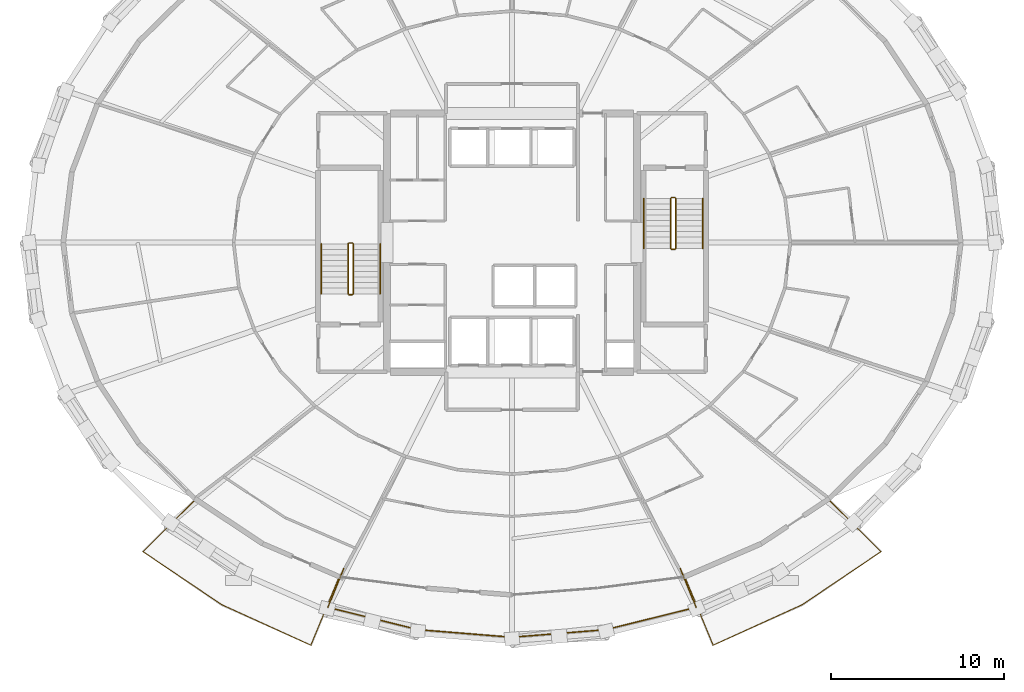
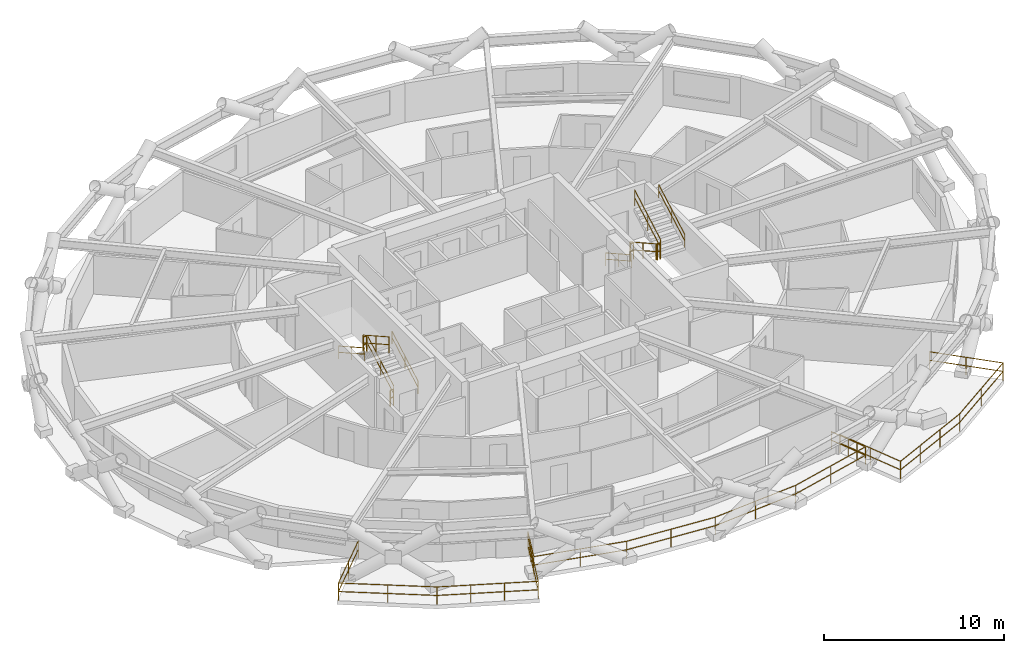
# One storey, part 13 of 13: 17 railings.
"""IFC4 building model written with IfcOpenShell, lengths in metres."""

from ifc_helpers import new_model, si_unit, direction, frame, origin, origin_2d, place, context, subcontext, project, spatial, circle, extrude, material, type_object, element, save


model = new_model("IFC4")

# Units and contexts
model_context = context("Model", 3, precision=1e-05, world=origin(), true_north=direction((0.0, 1.0)))
body_context = subcontext(model_context, "Body", "Model", "MODEL_VIEW")
ifc_project = project(units=[si_unit("LENGTHUNIT", "METRE"), si_unit("AREAUNIT", "SQUARE_METRE"), si_unit("VOLUMEUNIT", "CUBIC_METRE"), si_unit("PLANEANGLEUNIT", "RADIAN"), si_unit("MASSUNIT", "GRAM", prefix="KILO")], contexts=[model_context])

# Site, building, storey
site_placement = place(None, origin())
site = spatial("IfcSite", under=ifc_project, at=site_placement, CompositionType="ELEMENT")
building_placement = place(site_placement, origin())
building = spatial("IfcBuilding", under=site, at=building_placement, Name="Veldorina Hangang Commons", CompositionType="ELEMENT")
storey_placement = place(building_placement, frame((0.0, 0.0, 37.60009765625)))
storey = spatial("IfcBuildingStorey", under=building, at=storey_placement, Name="L08", CompositionType="ELEMENT", Elevation=37.60009765625)

# Railings
ifc_material_1 = material(Name="Glass Laminated Safety Balustrade", Category="glass")
railing_type_1 = type_object("IfcRailingType", Name="RL-BAL-LOGGIA", PredefinedType="BALUSTRADE", material=ifc_material_1)
railing_1_placement = place(storey_placement, frame((22.29443359375, 5.197021484375, 0.0)))
element("IfcRailing", 1, at=railing_1_placement, inside=storey, type_object=railing_type_1, Name="L08 sky-garden loggia end balustrade A", PredefinedType="BALUSTRADE", context=body_context, shape_type="SweptSolid", body=[
    extrude(circle(Radius=0.02392578125, at=origin_2d()), frame((0.0, 0.0, 1.17578125), z_axis=(-0.379040694112, -0.925380004218, 0.0), x_axis=(0.925380004218, -0.379040694112, 0.0)), (0.0, 0.0, 1.0), 2.400634765625),
    extrude(circle(Radius=0.02392578125, at=origin_2d()), frame((0.0, 0.0, 0.60009765625), z_axis=(-0.379040694112, -0.925380004218, 0.0), x_axis=(0.925380004218, -0.379040694112, 0.0)), (0.0, 0.0, 1.0), 2.400634765625),
    extrude(circle(Radius=0.02099609375, at=origin_2d()), origin(), (0.0, 0.0, 1.0), 1.15185546875),
    extrude(circle(Radius=0.02099609375, at=origin_2d()), frame((-0.2275390625, -0.555419921875, 0.0)), (0.0, 0.0, 1.0), 1.15185546875),
    extrude(circle(Radius=0.02099609375, at=origin_2d()), frame((-0.455078125, -1.11083984375, 0.0)), (0.0, 0.0, 1.0), 1.15185546875),
    extrude(circle(Radius=0.02099609375, at=origin_2d()), frame((-0.682373046875, -1.666015625, 0.0)), (0.0, 0.0, 1.0), 1.15185546875),
    extrude(circle(Radius=0.02099609375, at=origin_2d()), frame((-0.909912109375, -2.221435546875, 0.0)), (0.0, 0.0, 1.0), 1.15185546875),
])
railing_2_placement = place(storey_placement, frame((41.70556640625, 5.197021484375, 0.0)))
element("IfcRailing", 2, at=railing_2_placement, inside=storey, type_object=railing_type_1, Name="L08 sky-garden loggia end balustrade B", PredefinedType="BALUSTRADE", context=body_context, shape_type="SweptSolid", body=[
    extrude(circle(Radius=0.02392578125, at=origin_2d()), frame((0.0, 0.0, 1.17578125), z_axis=(0.379040694112, -0.925380004218, 0.0), x_axis=(0.925380004218, 0.379040694112, 0.0)), (0.0, 0.0, 1.0), 2.400634765625),
    extrude(circle(Radius=0.02392578125, at=origin_2d()), frame((0.0, 0.0, 0.60009765625), z_axis=(0.379040694112, -0.925380004218, 0.0), x_axis=(0.925380004218, 0.379040694112, 0.0)), (0.0, 0.0, 1.0), 2.400634765625),
    extrude(circle(Radius=0.02099609375, at=origin_2d()), origin(), (0.0, 0.0, 1.0), 1.15185546875),
    extrude(circle(Radius=0.02099609375, at=origin_2d()), frame((0.2275390625, -0.555419921875, 0.0)), (0.0, 0.0, 1.0), 1.15185546875),
    extrude(circle(Radius=0.02099609375, at=origin_2d()), frame((0.455078125, -1.11083984375, 0.0)), (0.0, 0.0, 1.0), 1.15185546875),
    extrude(circle(Radius=0.02099609375, at=origin_2d()), frame((0.682373046875, -1.666015625, 0.0)), (0.0, 0.0, 1.0), 1.15185546875),
    extrude(circle(Radius=0.02099609375, at=origin_2d()), frame((0.909912109375, -2.221435546875, 0.0)), (0.0, 0.0, 1.0), 1.15185546875),
])
railing_3_placement = place(storey_placement, frame((21.384521484375, 2.9755859375, 0.0)))
element("IfcRailing", 3, at=railing_3_placement, inside=storey, type_object=railing_type_1, Name="L08 sky-garden loggia outer balustrade", PredefinedType="BALUSTRADE", context=body_context, shape_type="SweptSolid", body=[
    extrude(circle(Radius=0.02392578125, at=origin_2d()), frame((0.0, 0.0, 1.17578125), z_axis=(0.970497635289, -0.241110638293, 0.0), x_axis=(0.241110638293, 0.970497635289, 0.0)), (0.0, 0.0, 1.0), 5.362548828125),
    extrude(circle(Radius=0.02392578125, at=origin_2d()), frame((0.0, 0.0, 0.60009765625), z_axis=(0.970497635289, -0.241110638293, 0.0), x_axis=(0.241110638293, 0.970497635289, 0.0)), (0.0, 0.0, 1.0), 5.362548828125),
    extrude(circle(Radius=0.02392578125, at=origin_2d()), frame((5.204345703125, -1.29296875, 1.17578125), z_axis=(0.996761862407, -0.080410134, 0.0), x_axis=(0.080410134, 0.996761862407, 0.0)), (0.0, 0.0, 1.0), 5.4287109375),
    extrude(circle(Radius=0.02392578125, at=origin_2d()), frame((5.204345703125, -1.29296875, 0.60009765625), z_axis=(0.996761862407, -0.080410134, 0.0), x_axis=(0.080410134, 0.996761862407, 0.0)), (0.0, 0.0, 1.0), 5.4287109375),
    extrude(circle(Radius=0.02392578125, at=origin_2d()), frame((10.615478515625, -1.7294921875, 1.17578125), z_axis=(0.996761862407, 0.080410134, 0.0), x_axis=(-0.080410134, 0.996761862407, 0.0)), (0.0, 0.0, 1.0), 5.4287109375),
    extrude(circle(Radius=0.02392578125, at=origin_2d()), frame((10.615478515625, -1.7294921875, 0.60009765625), z_axis=(0.996761862407, 0.080410134, 0.0), x_axis=(-0.080410134, 0.996761862407, 0.0)), (0.0, 0.0, 1.0), 5.4287109375),
    extrude(circle(Radius=0.02392578125, at=origin_2d()), frame((16.026611328125, -1.29296875, 1.17578125), z_axis=(0.970497635289, 0.241110638293, 0.0), x_axis=(-0.241110638293, 0.970497635289, 0.0)), (0.0, 0.0, 1.0), 5.362548828125),
    extrude(circle(Radius=0.02392578125, at=origin_2d()), frame((16.026611328125, -1.29296875, 0.60009765625), z_axis=(0.970497635289, 0.241110638293, 0.0), x_axis=(-0.241110638293, 0.970497635289, 0.0)), (0.0, 0.0, 1.0), 5.362548828125),
    extrude(circle(Radius=0.02099609375, at=origin_2d()), origin(), (0.0, 0.0, 1.0), 1.15185546875),
    extrude(circle(Radius=0.02099609375, at=origin_2d()), frame((2.60205078125, -0.646484375, 0.0)), (0.0, 0.0, 1.0), 1.15185546875),
    extrude(circle(Radius=0.02099609375, at=origin_2d()), frame((5.204345703125, -1.29296875, 0.0)), (0.0, 0.0, 1.0), 1.15185546875),
    extrude(circle(Radius=0.02099609375, at=origin_2d()), frame((7.909912109375, -1.51123046875, 0.0)), (0.0, 0.0, 1.0), 1.15185546875),
    extrude(circle(Radius=0.02099609375, at=origin_2d()), frame((10.615478515625, -1.7294921875, 0.0)), (0.0, 0.0, 1.0), 1.15185546875),
    extrude(circle(Radius=0.02099609375, at=origin_2d()), frame((13.321044921875, -1.51123046875, 0.0)), (0.0, 0.0, 1.0), 1.15185546875),
    extrude(circle(Radius=0.02099609375, at=origin_2d()), frame((16.026611328125, -1.29296875, 0.0)), (0.0, 0.0, 1.0), 1.15185546875),
    extrude(circle(Radius=0.02099609375, at=origin_2d()), frame((18.62890625, -0.646484375, 0.0)), (0.0, 0.0, 1.0), 1.15185546875),
    extrude(circle(Radius=0.02099609375, at=origin_2d()), frame((21.23095703125, 0.0, 0.0)), (0.0, 0.0, 1.0), 1.15185546875),
])
railing_4_placement = place(storey_placement, frame((13.730712890625, 9.168701171875, 0.0)))
element("IfcRailing", 4, at=railing_4_placement, inside=storey, type_object=railing_type_1, Name="L08 planted tree balcony 1 balustrade", PredefinedType="BALUSTRADE", context=body_context, shape_type="SweptSolid", body=[
    extrude(circle(Radius=0.02392578125, at=origin_2d()), frame((0.0, 0.0, 1.17578125), z_axis=(-0.709005044141, -0.705203408516, 0.0), x_axis=(0.705203408516, -0.709005044141, 0.0)), (0.0, 0.0, 1.0), 4.238525390625),
    extrude(circle(Radius=0.02392578125, at=origin_2d()), frame((0.0, 0.0, 0.60009765625), z_axis=(-0.709005044141, -0.705203408516, 0.0), x_axis=(0.705203408516, -0.709005044141, 0.0)), (0.0, 0.0, 1.0), 4.238525390625),
    extrude(circle(Radius=0.02392578125, at=origin_2d()), frame((-3.005126953125, -2.989013671875, 1.17578125), z_axis=(0.829381315886, -0.558682944844, 0.0), x_axis=(0.558682944844, 0.829381315886, 0.0)), (0.0, 0.0, 1.0), 5.47998046875),
    extrude(circle(Radius=0.02392578125, at=origin_2d()), frame((-3.005126953125, -2.989013671875, 0.60009765625), z_axis=(0.829381315886, -0.558682944844, 0.0), x_axis=(0.558682944844, 0.829381315886, 0.0)), (0.0, 0.0, 1.0), 5.47998046875),
    extrude(circle(Radius=0.02392578125, at=origin_2d()), frame((1.539794921875, -6.050537109375, 1.17578125), z_axis=(0.910413929683, -0.413698533523, 0.0), x_axis=(0.413698533523, 0.910413929683, 0.0)), (0.0, 0.0, 1.0), 5.6376953125),
    extrude(circle(Radius=0.02392578125, at=origin_2d()), frame((1.539794921875, -6.050537109375, 0.60009765625), z_axis=(0.910413929683, -0.413698533523, 0.0), x_axis=(0.413698533523, 0.910413929683, 0.0)), (0.0, 0.0, 1.0), 5.6376953125),
    extrude(circle(Radius=0.02392578125, at=origin_2d()), frame((6.67236328125, -8.3828125, 1.17578125), z_axis=(0.381868232911, 0.924216777977, 0.0), x_axis=(-0.924216777977, 0.381868232911, 0.0)), (0.0, 0.0, 1.0), 4.23681640625),
    extrude(circle(Radius=0.02392578125, at=origin_2d()), frame((6.67236328125, -8.3828125, 0.60009765625), z_axis=(0.381868232911, 0.924216777977, 0.0), x_axis=(-0.924216777977, 0.381868232911, 0.0)), (0.0, 0.0, 1.0), 4.23681640625),
    extrude(circle(Radius=0.02099609375, at=origin_2d()), origin(), (0.0, 0.0, 1.0), 1.15185546875),
    extrude(circle(Radius=0.02099609375, at=origin_2d()), frame((-1.50244140625, -1.49462890625, 0.0)), (0.0, 0.0, 1.0), 1.15185546875),
    extrude(circle(Radius=0.02099609375, at=origin_2d()), frame((-3.005126953125, -2.989013671875, 0.0)), (0.0, 0.0, 1.0), 1.15185546875),
    extrude(circle(Radius=0.02099609375, at=origin_2d()), frame((-0.732666015625, -4.519775390625, 0.0)), (0.0, 0.0, 1.0), 1.15185546875),
    extrude(circle(Radius=0.02099609375, at=origin_2d()), frame((1.539794921875, -6.050537109375, 0.0)), (0.0, 0.0, 1.0), 1.15185546875),
    extrude(circle(Radius=0.02099609375, at=origin_2d()), frame((3.250732421875, -6.827880859375, 0.0)), (0.0, 0.0, 1.0), 1.15185546875),
    extrude(circle(Radius=0.02099609375, at=origin_2d()), frame((4.96142578125, -7.60546875, 0.0)), (0.0, 0.0, 1.0), 1.15185546875),
    extrude(circle(Radius=0.02099609375, at=origin_2d()), frame((6.67236328125, -8.3828125, 0.0)), (0.0, 0.0, 1.0), 1.15185546875),
    extrude(circle(Radius=0.02099609375, at=origin_2d()), frame((7.4814453125, -6.4248046875, 0.0)), (0.0, 0.0, 1.0), 1.15185546875),
    extrude(circle(Radius=0.02099609375, at=origin_2d()), frame((8.290283203125, -4.467041015625, 0.0)), (0.0, 0.0, 1.0), 1.15185546875),
])
railing_5_placement = place(storey_placement, frame((41.97900390625, 4.70166015625, 0.0)))
element("IfcRailing", 5, at=railing_5_placement, inside=storey, type_object=railing_type_1, Name="L08 planted tree balcony 2 balustrade", PredefinedType="BALUSTRADE", context=body_context, shape_type="SweptSolid", body=[
    extrude(circle(Radius=0.02392578125, at=origin_2d()), frame((0.0, 0.0, 1.17578125), z_axis=(0.381868232911, -0.924216777977, 0.0), x_axis=(0.924216777977, 0.381868232911, 0.0)), (0.0, 0.0, 1.0), 4.23681640625),
    extrude(circle(Radius=0.02392578125, at=origin_2d()), frame((0.0, 0.0, 0.60009765625), z_axis=(0.381868232911, -0.924216777977, 0.0), x_axis=(0.924216777977, 0.381868232911, 0.0)), (0.0, 0.0, 1.0), 4.23681640625),
    extrude(circle(Radius=0.02392578125, at=origin_2d()), frame((1.617919921875, -3.915771484375, 1.17578125), z_axis=(0.910413929683, 0.413698533523, 0.0), x_axis=(-0.413698533523, 0.910413929683, 0.0)), (0.0, 0.0, 1.0), 5.6376953125),
    extrude(circle(Radius=0.02392578125, at=origin_2d()), frame((1.617919921875, -3.915771484375, 0.60009765625), z_axis=(0.910413929683, 0.413698533523, 0.0), x_axis=(-0.413698533523, 0.910413929683, 0.0)), (0.0, 0.0, 1.0), 5.6376953125),
    extrude(circle(Radius=0.02392578125, at=origin_2d()), frame((6.75048828125, -1.58349609375, 1.17578125), z_axis=(0.829381315886, 0.558682944844, 0.0), x_axis=(-0.558682944844, 0.829381315886, 0.0)), (0.0, 0.0, 1.0), 5.47998046875),
    extrude(circle(Radius=0.02392578125, at=origin_2d()), frame((6.75048828125, -1.58349609375, 0.60009765625), z_axis=(0.829381315886, 0.558682944844, 0.0), x_axis=(-0.558682944844, 0.829381315886, 0.0)), (0.0, 0.0, 1.0), 5.47998046875),
    extrude(circle(Radius=0.02392578125, at=origin_2d()), frame((11.29541015625, 1.47802734375, 1.17578125), z_axis=(-0.709005044141, 0.705203408516, 0.0), x_axis=(-0.705203408516, -0.709005044141, 0.0)), (0.0, 0.0, 1.0), 4.238525390625),
    extrude(circle(Radius=0.02392578125, at=origin_2d()), frame((11.29541015625, 1.47802734375, 0.60009765625), z_axis=(-0.709005044141, 0.705203408516, 0.0), x_axis=(-0.705203408516, -0.709005044141, 0.0)), (0.0, 0.0, 1.0), 4.238525390625),
    extrude(circle(Radius=0.02099609375, at=origin_2d()), origin(), (0.0, 0.0, 1.0), 1.15185546875),
    extrude(circle(Radius=0.02099609375, at=origin_2d()), frame((0.80908203125, -1.9580078125, 0.0)), (0.0, 0.0, 1.0), 1.15185546875),
    extrude(circle(Radius=0.02099609375, at=origin_2d()), frame((1.617919921875, -3.915771484375, 0.0)), (0.0, 0.0, 1.0), 1.15185546875),
    extrude(circle(Radius=0.02099609375, at=origin_2d()), frame((3.328857421875, -3.138427734375, 0.0)), (0.0, 0.0, 1.0), 1.15185546875),
    extrude(circle(Radius=0.02099609375, at=origin_2d()), frame((5.03955078125, -2.36083984375, 0.0)), (0.0, 0.0, 1.0), 1.15185546875),
    extrude(circle(Radius=0.02099609375, at=origin_2d()), frame((6.75048828125, -1.58349609375, 0.0)), (0.0, 0.0, 1.0), 1.15185546875),
    extrude(circle(Radius=0.02099609375, at=origin_2d()), frame((9.02294921875, -0.052734375, 0.0)), (0.0, 0.0, 1.0), 1.15185546875),
    extrude(circle(Radius=0.02099609375, at=origin_2d()), frame((11.29541015625, 1.47802734375, 0.0)), (0.0, 0.0, 1.0), 1.15185546875),
    extrude(circle(Radius=0.02099609375, at=origin_2d()), frame((9.79296875, 2.97265625, 0.0)), (0.0, 0.0, 1.0), 1.15185546875),
    extrude(circle(Radius=0.02099609375, at=origin_2d()), frame((8.290283203125, 4.467041015625, 0.0)), (0.0, 0.0, 1.0), 1.15185546875),
])
ifc_material_2 = material(Name="Steel Painted Balustrade", Category="steel")
railing_type_2 = type_object("IfcRailingType", Name="RL-GRD-STAIR", PredefinedType="GUARDRAIL", material=ifc_material_2)
railing_6_placement = place(storey_placement, frame((22.85009765625, 21.050048828125, 0.179931640625)))
element("IfcRailing", 6, at=railing_6_placement, inside=storey, type_object=railing_type_2, Name="L08 ST-1 stair guard 1", PredefinedType="GUARDRAIL", context=body_context, shape_type="SweptSolid", body=[
    extrude(circle(Radius=0.02392578125, at=origin_2d()), frame((0.0, 0.0, 1.076171875), z_axis=(0.0, 0.871583430097, 0.490247207417), x_axis=(-1.0, 0.0, 0.0)), (0.0, 0.0, 1.0), 3.30419921875),
    extrude(circle(Radius=0.02392578125, at=origin_2d()), frame((0.0, 0.0, 0.550048828125), z_axis=(0.0, 0.871583430097, 0.490247207417), x_axis=(-1.0, 0.0, 0.0)), (0.0, 0.0, 1.0), 3.30419921875),
    extrude(circle(Radius=0.02099609375, at=origin_2d()), origin(), (0.0, 0.0, 1.0), 1.052001953125),
    extrude(circle(Radius=0.02099609375, at=origin_2d()), frame((0.0, 1.43994140625, 0.81005859375)), (0.0, 0.0, 1.0), 1.052001953125),
    extrude(circle(Radius=0.02099609375, at=origin_2d()), frame((0.0, 2.8798828125, 1.619873046875)), (0.0, 0.0, 1.0), 1.052001953125),
])
railing_7_placement = place(storey_placement, frame((22.800048828125, 23.97998046875, 1.7998046875)))
element("IfcRailing", 7, at=railing_7_placement, inside=storey, type_object=railing_type_2, Name="L08 ST-1 stair guard 2", PredefinedType="GUARDRAIL", context=body_context, shape_type="SweptSolid", body=[
    extrude(circle(Radius=0.02392578125, at=origin_2d()), frame((0.0, 0.0, 1.076171875), z_axis=(-1.0, 0.0, 0.0), x_axis=(0.0, -1.0, 0.0)), (0.0, 0.0, 1.0), 0.199951171875),
    extrude(circle(Radius=0.02392578125, at=origin_2d()), frame((0.0, 0.0, 0.550048828125), z_axis=(-1.0, 0.0, 0.0), x_axis=(0.0, -1.0, 0.0)), (0.0, 0.0, 1.0), 0.199951171875),
    extrude(circle(Radius=0.02099609375, at=origin_2d()), origin(), (0.0, 0.0, 1.0), 1.052001953125),
    extrude(circle(Radius=0.02099609375, at=origin_2d()), frame((-0.199951171875, 0.0, 0.0)), (0.0, 0.0, 1.0), 1.052001953125),
])
railing_8_placement = place(storey_placement, frame((22.550048828125, 23.929931640625, 1.97998046875)))
element("IfcRailing", 8, at=railing_8_placement, inside=storey, type_object=railing_type_2, Name="L08 ST-1 stair guard 3", PredefinedType="GUARDRAIL", context=body_context, shape_type="SweptSolid", body=[
    extrude(circle(Radius=0.02392578125, at=origin_2d()), frame((0.0, 0.0, 1.076171875), z_axis=(0.0, -0.871583430097, 0.490247207417), x_axis=(1.0, 0.0, 0.0)), (0.0, 0.0, 1.0), 3.30419921875),
    extrude(circle(Radius=0.02392578125, at=origin_2d()), frame((0.0, 0.0, 0.550048828125), z_axis=(0.0, -0.871583430097, 0.490247207417), x_axis=(1.0, 0.0, 0.0)), (0.0, 0.0, 1.0), 3.30419921875),
    extrude(circle(Radius=0.02099609375, at=origin_2d()), origin(), (0.0, 0.0, 1.0), 1.052001953125),
    extrude(circle(Radius=0.02099609375, at=origin_2d()), frame((0.0, -1.43994140625, 0.81005859375)), (0.0, 0.0, 1.0), 1.052001953125),
    extrude(circle(Radius=0.02099609375, at=origin_2d()), frame((0.0, -2.8798828125, 1.619873046875)), (0.0, 0.0, 1.0), 1.052001953125),
])
railing_9_placement = place(storey_placement, frame((22.800048828125, 21.0, 0.0)))
element("IfcRailing", 9, at=railing_9_placement, inside=storey, type_object=railing_type_2, Name="L08 ST-1 stair guard 4", PredefinedType="GUARDRAIL", context=body_context, shape_type="SweptSolid", body=[
    extrude(circle(Radius=0.02392578125, at=origin_2d()), frame((0.0, 0.0, 1.076171875), z_axis=(-1.0, 0.0, 0.0), x_axis=(0.0, -1.0, 0.0)), (0.0, 0.0, 1.0), 0.199951171875),
    extrude(circle(Radius=0.02392578125, at=origin_2d()), frame((0.0, 0.0, 0.550048828125), z_axis=(-1.0, 0.0, 0.0), x_axis=(0.0, -1.0, 0.0)), (0.0, 0.0, 1.0), 0.199951171875),
    extrude(circle(Radius=0.02099609375, at=origin_2d()), origin(), (0.0, 0.0, 1.0), 1.052001953125),
    extrude(circle(Radius=0.02099609375, at=origin_2d()), frame((-0.199951171875, 0.0, 0.0)), (0.0, 0.0, 1.0), 1.052001953125),
])
railing_10_placement = place(storey_placement, frame((41.14990234375, 26.550048828125, 0.179931640625)))
element("IfcRailing", 10, at=railing_10_placement, inside=storey, type_object=railing_type_2, Name="L08 ST-2 stair guard 1", PredefinedType="GUARDRAIL", context=body_context, shape_type="SweptSolid", body=[
    extrude(circle(Radius=0.02392578125, at=origin_2d()), frame((0.0, 0.0, 1.076171875), z_axis=(0.0, -0.871601186807, 0.490215637405), x_axis=(1.0, 0.0, 0.0)), (0.0, 0.0, 1.0), 3.304443359375),
    extrude(circle(Radius=0.02392578125, at=origin_2d()), frame((0.0, 0.0, 0.550048828125), z_axis=(0.0, -0.871601186807, 0.490215637405), x_axis=(1.0, 0.0, 0.0)), (0.0, 0.0, 1.0), 3.304443359375),
    extrude(circle(Radius=0.02099609375, at=origin_2d()), origin(), (0.0, 0.0, 1.0), 1.052001953125),
    extrude(circle(Radius=0.02099609375, at=origin_2d()), frame((0.0, -1.43994140625, 0.81005859375)), (0.0, 0.0, 1.0), 1.052001953125),
    extrude(circle(Radius=0.02099609375, at=origin_2d()), frame((0.0, -2.880126953125, 1.619873046875)), (0.0, 0.0, 1.0), 1.052001953125),
])
railing_11_placement = place(storey_placement, frame((41.199951171875, 23.6201171875, 1.7998046875)))
element("IfcRailing", 11, at=railing_11_placement, inside=storey, type_object=railing_type_2, Name="L08 ST-2 stair guard 2", PredefinedType="GUARDRAIL", context=body_context, shape_type="SweptSolid", body=[
    extrude(circle(Radius=0.02392578125, at=origin_2d()), frame((0.0, 0.0, 1.076171875), z_axis=(1.0, 0.0, 0.0), x_axis=(0.0, 1.0, 0.0)), (0.0, 0.0, 1.0), 0.199951171875),
    extrude(circle(Radius=0.02392578125, at=origin_2d()), frame((0.0, 0.0, 0.550048828125), z_axis=(1.0, 0.0, 0.0), x_axis=(0.0, 1.0, 0.0)), (0.0, 0.0, 1.0), 0.199951171875),
    extrude(circle(Radius=0.02099609375, at=origin_2d()), origin(), (0.0, 0.0, 1.0), 1.052001953125),
    extrude(circle(Radius=0.02099609375, at=origin_2d()), frame((0.199951171875, 0.0, 0.0)), (0.0, 0.0, 1.0), 1.052001953125),
])
railing_12_placement = place(storey_placement, frame((41.449951171875, 23.669921875, 1.97998046875)))
element("IfcRailing", 12, at=railing_12_placement, inside=storey, type_object=railing_type_2, Name="L08 ST-2 stair guard 3", PredefinedType="GUARDRAIL", context=body_context, shape_type="SweptSolid", body=[
    extrude(circle(Radius=0.02392578125, at=origin_2d()), frame((0.0, 0.0, 1.076171875), z_axis=(0.0, 0.871601186807, 0.490215637405), x_axis=(-1.0, 0.0, 0.0)), (0.0, 0.0, 1.0), 3.304443359375),
    extrude(circle(Radius=0.02392578125, at=origin_2d()), frame((0.0, 0.0, 0.550048828125), z_axis=(0.0, 0.871601186807, 0.490215637405), x_axis=(-1.0, 0.0, 0.0)), (0.0, 0.0, 1.0), 3.304443359375),
    extrude(circle(Radius=0.02099609375, at=origin_2d()), origin(), (0.0, 0.0, 1.0), 1.052001953125),
    extrude(circle(Radius=0.02099609375, at=origin_2d()), frame((0.0, 1.43994140625, 0.81005859375)), (0.0, 0.0, 1.0), 1.052001953125),
    extrude(circle(Radius=0.02099609375, at=origin_2d()), frame((0.0, 2.880126953125, 1.619873046875)), (0.0, 0.0, 1.0), 1.052001953125),
])
railing_13_placement = place(storey_placement, frame((41.199951171875, 26.60009765625, 0.0)))
element("IfcRailing", 13, at=railing_13_placement, inside=storey, type_object=railing_type_2, Name="L08 ST-2 stair guard 4", PredefinedType="GUARDRAIL", context=body_context, shape_type="SweptSolid", body=[
    extrude(circle(Radius=0.02392578125, at=origin_2d()), frame((0.0, 0.0, 1.076171875), z_axis=(1.0, 0.0, 0.0), x_axis=(0.0, 1.0, 0.0)), (0.0, 0.0, 1.0), 0.199951171875),
    extrude(circle(Radius=0.02392578125, at=origin_2d()), frame((0.0, 0.0, 0.550048828125), z_axis=(1.0, 0.0, 0.0), x_axis=(0.0, 1.0, 0.0)), (0.0, 0.0, 1.0), 0.199951171875),
    extrude(circle(Radius=0.02099609375, at=origin_2d()), origin(), (0.0, 0.0, 1.0), 1.052001953125),
    extrude(circle(Radius=0.02099609375, at=origin_2d()), frame((0.199951171875, 0.0, 0.0)), (0.0, 0.0, 1.0), 1.052001953125),
])
ifc_material_3 = material(Name="Stainless Steel Brushed 316", Category="steel")
railing_type_3 = type_object("IfcRailingType", Name="RL-HND-STAIR", PredefinedType="HANDRAIL", material=ifc_material_3)
railing_14_placement = place(storey_placement, frame((24.39990234375, 21.050048828125, 0.179931640625)))
element("IfcRailing", 14, at=railing_14_placement, inside=storey, type_object=railing_type_3, Name="L08 ST-1 stair handrail 1", PredefinedType="HANDRAIL", context=body_context, shape_type="SweptSolid", body=[
    extrude(circle(Radius=0.02392578125, at=origin_2d()), frame((0.0, 0.0, 0.8759765625), z_axis=(0.0, 0.871583430097, 0.490247207417), x_axis=(-1.0, 0.0, 0.0)), (0.0, 0.0, 1.0), 3.30419921875),
    extrude(circle(Radius=0.02392578125, at=origin_2d()), frame((0.0, 0.0, 0.449951171875), z_axis=(0.0, 0.871583430097, 0.490247207417), x_axis=(-1.0, 0.0, 0.0)), (0.0, 0.0, 1.0), 3.30419921875),
    extrude(circle(Radius=0.02099609375, at=origin_2d()), origin(), (0.0, 0.0, 1.0), 0.851806640625),
    extrude(circle(Radius=0.02099609375, at=origin_2d()), frame((0.0, 1.43994140625, 0.81005859375)), (0.0, 0.0, 1.0), 0.851806640625),
    extrude(circle(Radius=0.02099609375, at=origin_2d()), frame((0.0, 2.8798828125, 1.619873046875)), (0.0, 0.0, 1.0), 0.851806640625),
])
railing_15_placement = place(storey_placement, frame((21.0, 23.929931640625, 1.97998046875)))
element("IfcRailing", 15, at=railing_15_placement, inside=storey, type_object=railing_type_3, Name="L08 ST-1 stair handrail 2", PredefinedType="HANDRAIL", context=body_context, shape_type="SweptSolid", body=[
    extrude(circle(Radius=0.02392578125, at=origin_2d()), frame((0.0, 0.0, 0.8759765625), z_axis=(0.0, -0.871583430097, 0.490247207417), x_axis=(1.0, 0.0, 0.0)), (0.0, 0.0, 1.0), 3.30419921875),
    extrude(circle(Radius=0.02392578125, at=origin_2d()), frame((0.0, 0.0, 0.449951171875), z_axis=(0.0, -0.871583430097, 0.490247207417), x_axis=(1.0, 0.0, 0.0)), (0.0, 0.0, 1.0), 3.30419921875),
    extrude(circle(Radius=0.02099609375, at=origin_2d()), origin(), (0.0, 0.0, 1.0), 0.851806640625),
    extrude(circle(Radius=0.02099609375, at=origin_2d()), frame((0.0, -1.43994140625, 0.81005859375)), (0.0, 0.0, 1.0), 0.851806640625),
    extrude(circle(Radius=0.02099609375, at=origin_2d()), frame((0.0, -2.8798828125, 1.619873046875)), (0.0, 0.0, 1.0), 0.851806640625),
])
railing_16_placement = place(storey_placement, frame((39.60009765625, 26.550048828125, 0.179931640625)))
element("IfcRailing", 16, at=railing_16_placement, inside=storey, type_object=railing_type_3, Name="L08 ST-2 stair handrail 1", PredefinedType="HANDRAIL", context=body_context, shape_type="SweptSolid", body=[
    extrude(circle(Radius=0.02392578125, at=origin_2d()), frame((0.0, 0.0, 0.8759765625), z_axis=(0.0, -0.871601186807, 0.490215637405), x_axis=(1.0, 0.0, 0.0)), (0.0, 0.0, 1.0), 3.304443359375),
    extrude(circle(Radius=0.02392578125, at=origin_2d()), frame((0.0, 0.0, 0.449951171875), z_axis=(0.0, -0.871601186807, 0.490215637405), x_axis=(1.0, 0.0, 0.0)), (0.0, 0.0, 1.0), 3.304443359375),
    extrude(circle(Radius=0.02099609375, at=origin_2d()), origin(), (0.0, 0.0, 1.0), 0.851806640625),
    extrude(circle(Radius=0.02099609375, at=origin_2d()), frame((0.0, -1.43994140625, 0.81005859375)), (0.0, 0.0, 1.0), 0.851806640625),
    extrude(circle(Radius=0.02099609375, at=origin_2d()), frame((0.0, -2.880126953125, 1.619873046875)), (0.0, 0.0, 1.0), 0.851806640625),
])
railing_17_placement = place(storey_placement, frame((43.0, 23.669921875, 1.97998046875)))
element("IfcRailing", 17, at=railing_17_placement, inside=storey, type_object=railing_type_3, Name="L08 ST-2 stair handrail 2", PredefinedType="HANDRAIL", context=body_context, shape_type="SweptSolid", body=[
    extrude(circle(Radius=0.02392578125, at=origin_2d()), frame((0.0, 0.0, 0.8759765625), z_axis=(0.0, 0.871601186807, 0.490215637405), x_axis=(-1.0, 0.0, 0.0)), (0.0, 0.0, 1.0), 3.304443359375),
    extrude(circle(Radius=0.02392578125, at=origin_2d()), frame((0.0, 0.0, 0.449951171875), z_axis=(0.0, 0.871601186807, 0.490215637405), x_axis=(-1.0, 0.0, 0.0)), (0.0, 0.0, 1.0), 3.304443359375),
    extrude(circle(Radius=0.02099609375, at=origin_2d()), origin(), (0.0, 0.0, 1.0), 0.851806640625),
    extrude(circle(Radius=0.02099609375, at=origin_2d()), frame((0.0, 1.43994140625, 0.81005859375)), (0.0, 0.0, 1.0), 0.851806640625),
    extrude(circle(Radius=0.02099609375, at=origin_2d()), frame((0.0, 2.880126953125, 1.619873046875)), (0.0, 0.0, 1.0), 0.851806640625),
])

save(model, "model.ifc")
